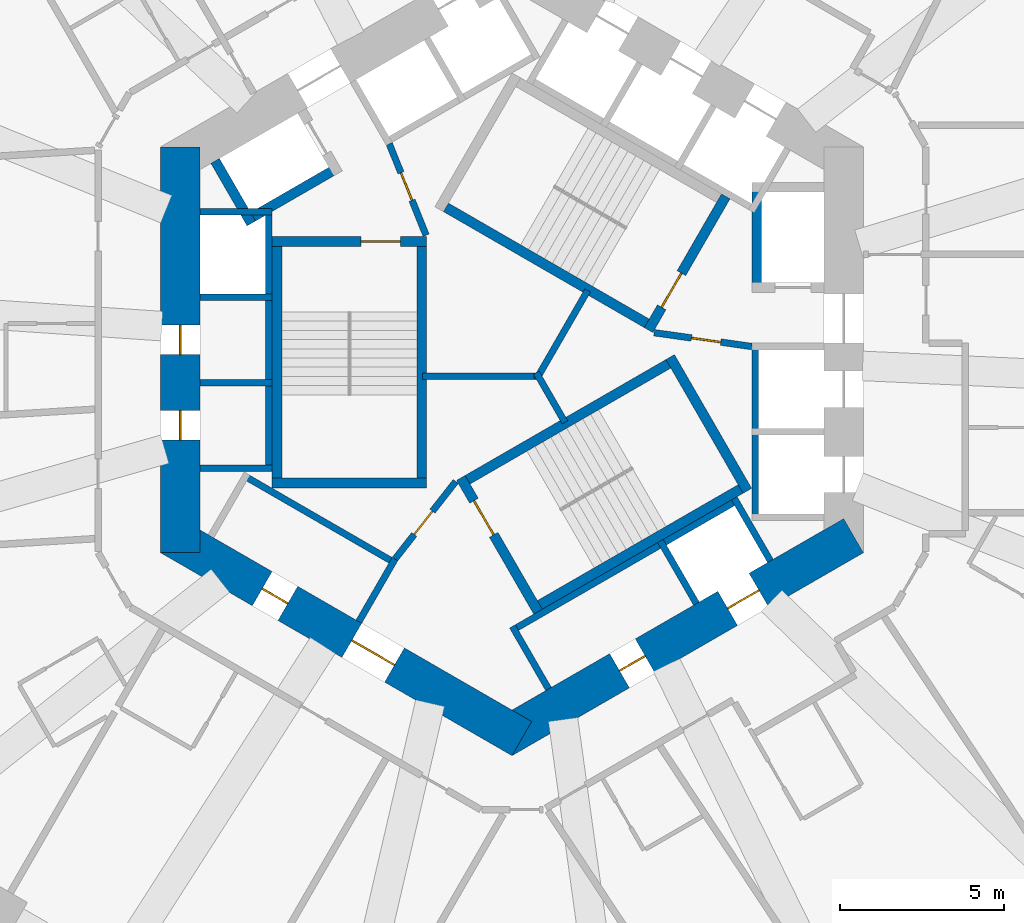
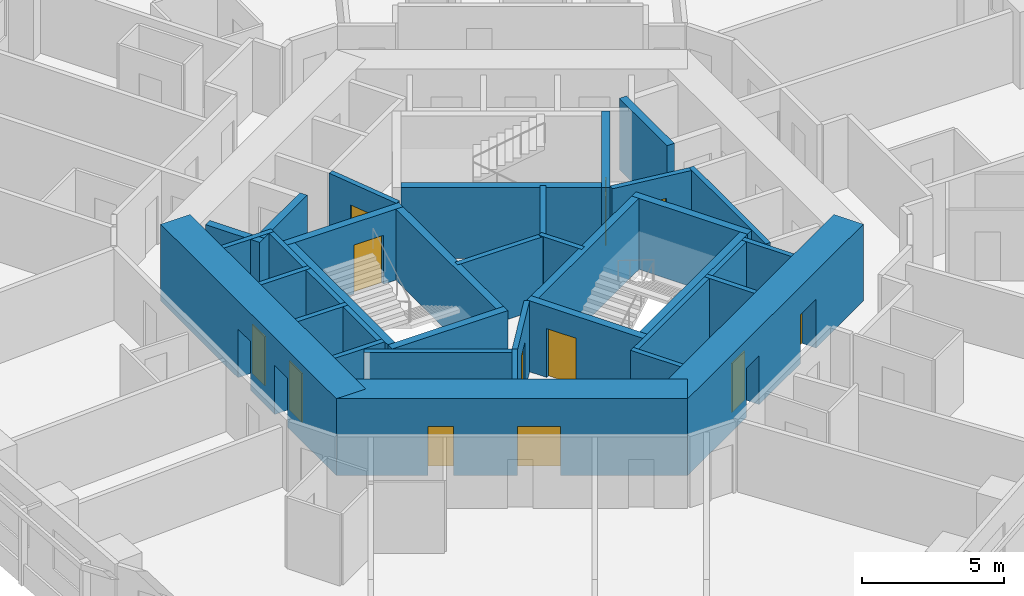
# One storey, part 5 of 12: 34 walls, 12 doors, 12 openings.
"""IFC4 building model written with IfcOpenShell, lengths in metres."""

from ifc_helpers import new_model, si_unit, direction, frame, frame_2d, origin, place, context, subcontext, project, spatial, rectangle, extrude, material, layer, layer_set, type_object, element, fill, save


model = new_model("IFC4")

# Units and contexts
model_context = context("Model", 3, precision=1e-05, world=origin(), true_north=direction((0.0, 1.0)))
body_context = subcontext(model_context, "Body", "Model", "MODEL_VIEW")
ifc_project = project(units=[si_unit("LENGTHUNIT", "METRE"), si_unit("AREAUNIT", "SQUARE_METRE"), si_unit("VOLUMEUNIT", "CUBIC_METRE"), si_unit("PLANEANGLEUNIT", "RADIAN"), si_unit("MASSUNIT", "GRAM", prefix="KILO")], contexts=[model_context])

# Site, building, storey
site_placement = place(None, origin())
site = spatial("IfcSite", under=ifc_project, at=site_placement, CompositionType="ELEMENT")
building_placement = place(site_placement, origin())
building = spatial("IfcBuilding", under=site, at=building_placement, Name="Vanh Sen Convention Tower", CompositionType="ELEMENT")
storey_placement = place(building_placement, frame((0.0, 0.0, 70.39990234375)))
storey = spatial("IfcBuildingStorey", under=building, at=storey_placement, Name="L15", CompositionType="ELEMENT", Elevation=70.39990234375)

# Wall, openings, doors
ifc_material_1 = material(Name="Concrete C80/95", Category="concrete")
ifc_layer_1 = layer(ifc_material_1, 1.199951171875)
ifc_layer_set_1 = layer_set([ifc_layer_1], Name="Concrete C80/95")
wall_type_1 = type_object("IfcWallType", Name="Core outer wall 1200 C80/95", PredefinedType="SHEAR", material=ifc_layer_set_1)
wall_1_placement = place(storey_placement, frame((-10.10009765625, 6.177490234375, 0.0), z_axis=(0.0, 0.0, 1.0), x_axis=(0.0, -1.0, 0.0)))
wall_1 = element("IfcWall", 1, at=wall_1_placement, inside=storey, type_object=wall_type_1, Name="Core wall face W L15", PredefinedType="SHEAR", context=body_context, shape_type="SweptSolid", body=[
    extrude(rectangle(XDim=12.35498046875, YDim=1.199951171875, at=frame_2d((6.177490234375, 0.0))), origin(), (0.0, 0.0, 1.0), 3.300048828125),
])
opening_1_placement = place(wall_1_placement, frame((5.427490234375, 0.0, 0.0)))
opening_1 = element("IfcOpeningElement", 2, at=opening_1_placement, cuts=wall_1, Name="Opening D13010", PredefinedType="OPENING", context=body_context, shape_type="SweptSolid", body=[
    extrude(rectangle(XDim=0.89990234375, YDim=2.10009765625, at=frame_2d((0.449951171875, 1.050048828125))), frame((0.0, 0.60986328125, 0.0), z_axis=(0.0, -1.0, 0.0), x_axis=(1.0, 0.0, 0.0)), (0.0, 0.0, 1.0), 1.219970703125),
])
opening_2_placement = place(wall_1_placement, frame((8.027587890625, 0.0, 0.0)))
opening_2 = element("IfcOpeningElement", 3, at=opening_2_placement, cuts=wall_1, Name="Opening D13011", PredefinedType="OPENING", context=body_context, shape_type="SweptSolid", body=[
    extrude(rectangle(XDim=0.89990234375, YDim=2.10009765625, at=frame_2d((0.449951171875, 1.050048828125))), frame((0.0, 0.60986328125, 0.0), z_axis=(0.0, -1.0, 0.0), x_axis=(1.0, 0.0, 0.0)), (0.0, 0.0, 1.0), 1.219970703125),
])
ifc_material_2 = material(Name="Steel S355", Category="steel")
door_type_1 = type_object("IfcDoorType", Name="Plant door 900", OperationType="SINGLE_SWING_LEFT", PredefinedType="DOOR", material=ifc_material_2)
door_1_placement = place(opening_1_placement, origin())
door_1 = element("IfcDoor", 4, at=door_1_placement, inside=storey, type_object=door_type_1, Name="Plant door D13010", OperationType="SINGLE_SWING_LEFT", OverallHeight=2.10009765625, OverallWidth=0.89990234375, PredefinedType="DOOR", context=body_context, shape_type="SweptSolid", body=[
    extrude(rectangle(XDim=0.89990234375, YDim=2.10009765625, at=frame_2d((0.449951171875, 1.050048828125))), frame((0.0, 0.02490234375, 0.0), z_axis=(0.0, -1.0, 0.0), x_axis=(1.0, 0.0, 0.0)), (0.0, 0.0, 1.0), 0.050048828125),
])
fill(opening_1, door_1)
door_2_placement = place(opening_2_placement, origin())
door_2 = element("IfcDoor", 5, at=door_2_placement, inside=storey, type_object=door_type_1, Name="Plant door D13011", OperationType="SINGLE_SWING_LEFT", OverallHeight=2.10009765625, OverallWidth=0.89990234375, PredefinedType="DOOR", context=body_context, shape_type="SweptSolid", body=[
    extrude(rectangle(XDim=0.89990234375, YDim=2.10009765625, at=frame_2d((0.449951171875, 1.050048828125))), frame((0.0, 0.02490234375, 0.0), z_axis=(0.0, -1.0, 0.0), x_axis=(1.0, 0.0, 0.0)), (0.0, 0.0, 1.0), 0.050048828125),
])
fill(opening_2, door_2)

wall_2_placement = place(storey_placement, frame((-10.39990234375, -5.657958984375, 0.0), z_axis=(0.0, 0.0, 1.0), x_axis=(0.866021384402, -0.500006961711, 0.0)))
wall_2 = element("IfcWall", 6, at=wall_2_placement, inside=storey, type_object=wall_type_1, Name="Core wall face SW L15", PredefinedType="SHEAR", context=body_context, shape_type="SweptSolid", body=[
    extrude(rectangle(XDim=12.355224609375, YDim=1.199951171875, at=frame_2d((6.177734375, 0.0))), origin(), (0.0, 0.0, 1.0), 3.300048828125),
])
opening_3_placement = place(wall_2_placement, frame((6.377685546875, 0.0, 0.0)))
opening_3 = element("IfcOpeningElement", 7, at=opening_3_placement, cuts=wall_2, Name="Opening D13003", PredefinedType="OPENING", context=body_context, shape_type="SweptSolid", body=[
    extrude(rectangle(XDim=1.5, YDim=2.10009765625, at=frame_2d((0.75, 1.050048828125))), frame((0.0, 0.60986328125, 0.0), z_axis=(0.0, -1.0, 0.0), x_axis=(1.0, 0.0, 0.0)), (0.0, 0.0, 1.0), 1.219970703125),
])
opening_4_placement = place(wall_2_placement, frame((3.227783203125, 0.0, 0.0)))
opening_4 = element("IfcOpeningElement", 8, at=opening_4_placement, cuts=wall_2, Name="Opening D13012", PredefinedType="OPENING", context=body_context, shape_type="SweptSolid", body=[
    extrude(rectangle(XDim=0.89990234375, YDim=2.10009765625, at=frame_2d((0.449951171875, 1.050048828125))), frame((0.0, 0.60986328125, 0.0), z_axis=(0.0, -1.0, 0.0), x_axis=(1.0, 0.0, 0.0)), (0.0, 0.0, 1.0), 1.219970703125),
])
door_3_placement = place(opening_4_placement, origin())
door_3 = element("IfcDoor", 9, at=door_3_placement, inside=storey, type_object=door_type_1, Name="Plant door D13012", OperationType="SINGLE_SWING_LEFT", OverallHeight=2.10009765625, OverallWidth=0.89990234375, PredefinedType="DOOR", context=body_context, shape_type="SweptSolid", body=[
    extrude(rectangle(XDim=0.89990234375, YDim=2.10009765625, at=frame_2d((0.449951171875, 1.050048828125))), frame((0.0, 0.02490234375, 0.0), z_axis=(0.0, -1.0, 0.0), x_axis=(1.0, 0.0, 0.0)), (0.0, 0.0, 1.0), 0.050048828125),
])
fill(opening_4, door_3)
door_type_2 = type_object("IfcDoorType", Name="Stair lobby door 1500", OperationType="DOUBLE_DOOR_SINGLE_SWING", PredefinedType="DOOR", material=ifc_material_2)
door_4_placement = place(opening_3_placement, origin())
door_4 = element("IfcDoor", 10, at=door_4_placement, inside=storey, type_object=door_type_2, Name="Stair lobby door D13003", OperationType="DOUBLE_DOOR_SINGLE_SWING", OverallHeight=2.10009765625, OverallWidth=1.5, PredefinedType="DOOR", context=body_context, shape_type="SweptSolid", body=[
    extrude(rectangle(XDim=1.5, YDim=2.10009765625, at=frame_2d((0.75, 1.050048828125))), frame((0.0, 0.02490234375, 0.0), z_axis=(0.0, -1.0, 0.0), x_axis=(1.0, 0.0, 0.0)), (0.0, 0.0, 1.0), 0.050048828125),
])
fill(opening_3, door_4)

wall_3_placement = place(storey_placement, frame((-0.300048828125, -11.835693359375, 0.0), z_axis=(0.0, 0.0, 1.0), x_axis=(0.866021384402, 0.500006961711, 0.0)))
wall_3 = element("IfcWall", 11, at=wall_3_placement, inside=storey, type_object=wall_type_1, Name="Core wall face SE L15", PredefinedType="SHEAR", context=body_context, shape_type="SweptSolid", body=[
    extrude(rectangle(XDim=12.355224609375, YDim=1.199951171875, at=frame_2d((6.177734375, 0.0))), origin(), (0.0, 0.0, 1.0), 3.300048828125),
])
opening_5_placement = place(wall_3_placement, frame((4.127685546875, 0.0, 0.0)))
opening_5 = element("IfcOpeningElement", 12, at=opening_5_placement, cuts=wall_3, Name="Opening D13013", PredefinedType="OPENING", context=body_context, shape_type="SweptSolid", body=[
    extrude(rectangle(XDim=0.89990234375, YDim=2.10009765625, at=frame_2d((0.449951171875, 1.050048828125))), frame((0.0, 0.60986328125, 0.0), z_axis=(0.0, -1.0, 0.0), x_axis=(1.0, 0.0, 0.0)), (0.0, 0.0, 1.0), 1.219970703125),
])
opening_6_placement = place(wall_3_placement, frame((7.927734375, 0.0, 0.0)))
opening_6 = element("IfcOpeningElement", 13, at=opening_6_placement, cuts=wall_3, Name="Opening LD-SV1", PredefinedType="OPENING", context=body_context, shape_type="SweptSolid", body=[
    extrude(rectangle(XDim=1.10009765625, YDim=2.10009765625, at=frame_2d((0.550048828125, 1.050048828125))), frame((0.0, 0.60986328125, 0.0), z_axis=(0.0, -1.0, 0.0), x_axis=(1.0, 0.0, 0.0)), (0.0, 0.0, 1.0), 1.219970703125),
])
ifc_material_3 = material(Name="Stainless steel", Category="steel")
door_type_3 = type_object("IfcDoorType", Name="Lift landing door 1100", OperationType="DOUBLE_DOOR_SLIDING", PredefinedType="DOOR", material=ifc_material_3)
door_5_placement = place(opening_6_placement, origin())
door_5 = element("IfcDoor", 14, at=door_5_placement, inside=storey, type_object=door_type_3, Name="Lift SV1 landing door LD-SV1", OperationType="DOUBLE_DOOR_SLIDING", OverallHeight=2.10009765625, OverallWidth=1.10009765625, PredefinedType="DOOR", context=body_context, shape_type="SweptSolid", body=[
    extrude(rectangle(XDim=1.10009765625, YDim=2.10009765625, at=frame_2d((0.550048828125, 1.050048828125))), frame((0.0, 0.02490234375, 0.0), z_axis=(0.0, -1.0, 0.0), x_axis=(1.0, 0.0, 0.0)), (0.0, 0.0, 1.0), 0.050048828125),
])
fill(opening_6, door_5)
door_6_placement = place(opening_5_placement, origin())
door_6 = element("IfcDoor", 15, at=door_6_placement, inside=storey, type_object=door_type_1, Name="Plant door D13013", OperationType="SINGLE_SWING_LEFT", OverallHeight=2.10009765625, OverallWidth=0.89990234375, PredefinedType="DOOR", context=body_context, shape_type="SweptSolid", body=[
    extrude(rectangle(XDim=0.89990234375, YDim=2.10009765625, at=frame_2d((0.449951171875, 1.050048828125))), frame((0.0, 0.02490234375, 0.0), z_axis=(0.0, -1.0, 0.0), x_axis=(1.0, 0.0, 0.0)), (0.0, 0.0, 1.0), 0.050048828125),
])
fill(opening_5, door_6)

# Walls
ifc_material_4 = material(Name="Masonry blockwork", Category="masonry")
ifc_layer_2 = layer(ifc_material_4, 0.199951171875)
ifc_layer_set_2 = layer_set([ifc_layer_2], Name="Masonry blockwork")
wall_type_2 = type_object("IfcWallType", Name="Core partition 200", PredefinedType="PARTITIONING", material=ifc_layer_set_2)
wall_4_placement = place(storey_placement, frame((0.919921875, -0.800048828125, 0.0), z_axis=(0.0, 0.0, 1.0), x_axis=(-1.0, 0.0, 0.0)))
element("IfcWall", 16, at=wall_4_placement, inside=storey, type_object=wall_type_2, Name="Core partition L15", PredefinedType="PARTITIONING", context=body_context, shape_type="SweptSolid", body=[
    extrude(rectangle(XDim=3.639892578125, YDim=0.199951171875, at=frame_2d((1.81982421875, 0.0))), origin(), (0.0, 0.0, 1.0), 3.050048828125),
])
wall_5_placement = place(storey_placement, frame((0.739990234375, -0.90380859375, 0.0), z_axis=(0.0, 0.0, 1.0), x_axis=(0.500028278809, 0.866009076391, 0.0)))
element("IfcWall", 17, at=wall_5_placement, inside=storey, type_object=wall_type_2, Name="Core partition L15", PredefinedType="PARTITIONING", context=body_context, shape_type="SweptSolid", body=[
    extrude(rectangle(XDim=3.132568359375, YDim=0.199951171875, at=frame_2d((1.56640625, 0.0))), origin(), (0.0, 0.0, 1.0), 3.050048828125),
])
wall_6_placement = place(storey_placement, frame((0.739990234375, -0.696044921875, 0.0), z_axis=(0.0, 0.0, 1.0), x_axis=(0.499956301907, -0.86605063142, 0.0)))
element("IfcWall", 18, at=wall_6_placement, inside=storey, type_object=wall_type_2, Name="Core partition L15", PredefinedType="PARTITIONING", context=body_context, shape_type="SweptSolid", body=[
    extrude(rectangle(XDim=1.747314453125, YDim=0.199951171875, at=frame_2d((0.87353515625, 0.0))), origin(), (0.0, 0.0, 1.0), 3.050048828125),
])
ifc_material_5 = material(Name="Concrete C60/75", Category="concrete")
ifc_layer_3 = layer(ifc_material_5, 0.300048828125)
ifc_layer_set_3 = layer_set([ifc_layer_3], Name="Concrete C60/75")
wall_type_3 = type_object("IfcWallType", Name="Fire-fighting lift shaft wall 300", PredefinedType="SHEAR", material=ifc_layer_set_3)
wall_7_placement = place(storey_placement, frame((7.449951171875, 1.75, 0.0), z_axis=(0.0, 0.0, 1.0), x_axis=(0.0, 1.0, 0.0)))
element("IfcWall", 19, at=wall_7_placement, inside=storey, type_object=wall_type_3, Name="Fire-fighting lift shaft wall L15", PredefinedType="SHEAR", context=body_context, shape_type="SweptSolid", body=[
    extrude(rectangle(XDim=3.35009765625, YDim=0.300048828125, at=frame_2d((1.675048828125, 0.0))), origin(), (0.0, 0.0, 1.0), 3.050048828125),
])
wall_8_placement = place(storey_placement, frame((-5.240478515625, 5.576904296875, 0.0), z_axis=(0.0, 0.0, 1.0), x_axis=(-0.866014461049, -0.500018952895, 0.0)))
element("IfcWall", 20, at=wall_8_placement, inside=storey, type_object=wall_type_3, Name="Fire-fighting lift shaft wall L15", PredefinedType="SHEAR", context=body_context, shape_type="SweptSolid", body=[
    extrude(rectangle(XDim=3.349853515625, YDim=0.300048828125, at=frame_2d((1.6748046875, 0.0))), origin(), (0.0, 0.0, 1.0), 3.050048828125),
])
wall_9_placement = place(storey_placement, frame((-7.936767578125, 3.846923828125, 0.0), z_axis=(0.0, 0.0, 1.0), x_axis=(-0.50002983664, 0.866008176907, 0.0)))
element("IfcWall", 21, at=wall_9_placement, inside=storey, type_object=wall_type_3, Name="Fire-fighting lift shaft wall L15", PredefinedType="SHEAR", context=body_context, shape_type="SweptSolid", body=[
    extrude(rectangle(XDim=2.199951171875, YDim=0.300048828125, at=frame_2d((1.10009765625, 0.0))), origin(), (0.0, 0.0, 1.0), 3.050048828125),
])
ifc_material_6 = material(Name="Concrete C40/50", Category="concrete")
ifc_layer_4 = layer(ifc_material_6, 0.199951171875)
ifc_layer_set_4 = layer_set([ifc_layer_4], Name="Concrete C40/50")
wall_type_4 = type_object("IfcWallType", Name="Lift shaft wall 200", PredefinedType="PARTITIONING", material=ifc_layer_set_4)
wall_10_placement = place(storey_placement, frame((7.39990234375, -5.199951171875, 0.0), z_axis=(0.0, 0.0, 1.0), x_axis=(0.0, 1.0, 0.0)))
element("IfcWall", 22, at=wall_10_placement, inside=storey, type_object=wall_type_4, Name="Lift shaft wall L15", PredefinedType="PARTITIONING", context=body_context, shape_type="SweptSolid", body=[
    extrude(rectangle(XDim=5.39990234375, YDim=0.199951171875, at=frame_2d((2.699951171875, 0.0))), origin(), (0.0, 0.0, 1.0), 3.050048828125),
])
wall_11_placement = place(storey_placement, frame((-7.39990234375, 4.300048828125, 0.0), z_axis=(0.0, 0.0, 1.0), x_axis=(0.0, -1.0, 0.0)))
element("IfcWall", 23, at=wall_11_placement, inside=storey, type_object=wall_type_4, Name="Lift shaft wall L15", PredefinedType="PARTITIONING", context=body_context, shape_type="SweptSolid", body=[
    extrude(rectangle(XDim=8.0, YDim=0.199951171875, at=frame_2d((4.0, 0.0))), origin(), (0.0, 0.0, 1.0), 3.050048828125),
])
for number, where, z_axis, x_axis, name in (
    (24, (-7.300048828125, 4.199951171875, 0.0), (0.0, 0.0, 1.0), (-1.0, 0.0, 0.0), "Lift shaft wall L15"),
    (25, (-7.300048828125, 1.60009765625, 0.0), (0.0, 0.0, 1.0), (-1.0, 0.0, 0.0), "Lift shaft wall L15"),
    (26, (-7.300048828125, -1.0, 0.0), (0.0, 0.0, 1.0), (-1.0, 0.0, 0.0), "Lift shaft wall L15"),
    (27, (-7.300048828125, -3.60009765625, 0.0), (0.0, 0.0, 1.0), (-1.0, 0.0, 0.0), "Lift shaft wall L15"),
):
    element("IfcWall", number, at=place(storey_placement, frame(where, z_axis=z_axis, x_axis=x_axis)), inside=storey, type_object=wall_type_4, Name=name, PredefinedType="PARTITIONING", context=body_context, shape_type="SweptSolid", body=[
        extrude(rectangle(XDim=2.199951171875, YDim=0.199951171875, at=frame_2d((1.10009765625, 0.0))), origin(), (0.0, 0.0, 1.0), 3.050048828125),
    ])
wall_12_placement = place(storey_placement, frame((-8.203369140625, -3.80859375, 0.0), z_axis=(0.0, 0.0, 1.0), x_axis=(0.866028230842, -0.499995103361, 0.0)))
element("IfcWall", 28, at=wall_12_placement, inside=storey, type_object=wall_type_4, Name="Lift shaft wall L15", PredefinedType="PARTITIONING", context=body_context, shape_type="SweptSolid", body=[
    extrude(rectangle(XDim=5.39990234375, YDim=0.199951171875, at=frame_2d((2.699951171875, 0.0))), origin(), (0.0, 0.0, 1.0), 3.050048828125),
])
wall_13_placement = place(storey_placement, frame((-3.5634765625, -6.3720703125, 0.0), z_axis=(0.0, 0.0, 1.0), x_axis=(-0.499994660107, -0.866028486751, 0.0)))
element("IfcWall", 29, at=wall_13_placement, inside=storey, type_object=wall_type_4, Name="Lift shaft wall L15", PredefinedType="PARTITIONING", context=body_context, shape_type="SweptSolid", body=[
    extrude(rectangle(XDim=2.19970703125, YDim=0.199951171875, at=frame_2d((1.099853515625, 0.0))), origin(), (0.0, 0.0, 1.0), 3.050048828125),
])
wall_14_placement = place(storey_placement, frame((-0.02392578125, -8.55859375, 0.0), z_axis=(0.0, 0.0, 1.0), x_axis=(0.866026010844, 0.49999894854, 0.0)))
element("IfcWall", 30, at=wall_14_placement, inside=storey, type_object=wall_type_4, Name="Lift shaft wall L15", PredefinedType="PARTITIONING", context=body_context, shape_type="SweptSolid", body=[
    extrude(rectangle(XDim=8.0, YDim=0.199951171875, at=frame_2d((4.0, 0.0))), origin(), (0.0, 0.0, 1.0), 3.050048828125),
])
for number, where, z_axis, x_axis, name in (
    (31, (0.0126953125, -8.422119140625, 0.0), (0.0, 0.0, 1.0), (0.500077893725, -0.86598042715, 0.0), "Lift shaft wall L15"),
    (32, (4.51611328125, -5.822021484375, 0.0), (0.0, 0.0, 1.0), (0.499946605688, -0.86605622881, 0.0), "Lift shaft wall L15"),
    (33, (6.767578125, -4.52197265625, 0.0), (0.0, 0.0, 1.0), (0.50002983664, -0.866008176907, 0.0), "Lift shaft wall L15"),
):
    element("IfcWall", number, at=place(storey_placement, frame(where, z_axis=z_axis, x_axis=x_axis)), inside=storey, type_object=wall_type_4, Name=name, PredefinedType="PARTITIONING", context=body_context, shape_type="SweptSolid", body=[
        extrude(rectangle(XDim=2.199951171875, YDim=0.199951171875, at=frame_2d((1.10009765625, 0.0))), origin(), (0.0, 0.0, 1.0), 3.050048828125),
    ])

# Wall, opening, door
ifc_layer_5 = layer(ifc_material_6, 0.199951171875)
ifc_layer_set_5 = layer_set([ifc_layer_5], Name="Concrete C40/50")
wall_type_5 = type_object("IfcWallType", Name="Stair lobby wall 200", PredefinedType="PARTITIONING", material=ifc_layer_set_5)
wall_15_placement = place(storey_placement, frame((4.327392578125, 0.52099609375, 0.0), z_axis=(0.0, 0.0, 1.0), x_axis=(0.990124376366, -0.14019172346, 0.0)))
wall_15 = element("IfcWall", 34, at=wall_15_placement, inside=storey, type_object=wall_type_5, Name="Stair lobby wall L15", PredefinedType="PARTITIONING", context=body_context, shape_type="SweptSolid", body=[
    extrude(rectangle(XDim=3.002197265625, YDim=0.199951171875, at=frame_2d((1.5009765625, 0.0))), origin(), (0.0, 0.0, 1.0), 3.050048828125),
])
opening_7_placement = place(wall_15_placement, frame((1.14990234375, 0.0, 0.0)))
opening_7 = element("IfcOpeningElement", 35, at=opening_7_placement, cuts=wall_15, Name="Opening D13007", PredefinedType="OPENING", context=body_context, shape_type="SweptSolid", body=[
    extrude(rectangle(XDim=0.89990234375, YDim=2.10009765625, at=frame_2d((0.449951171875, 1.050048828125))), frame((0.0, 0.10986328125, 0.0), z_axis=(0.0, -1.0, 0.0), x_axis=(1.0, 0.0, 0.0)), (0.0, 0.0, 1.0), 0.219970703125),
])
door_7_placement = place(opening_7_placement, origin())
door_7 = element("IfcDoor", 36, at=door_7_placement, inside=storey, type_object=door_type_1, Name="Plant door D13007", OperationType="SINGLE_SWING_LEFT", OverallHeight=2.10009765625, OverallWidth=0.89990234375, PredefinedType="DOOR", context=body_context, shape_type="SweptSolid", body=[
    extrude(rectangle(XDim=0.89990234375, YDim=2.10009765625, at=frame_2d((0.449951171875, 1.050048828125))), frame((0.0, 0.02490234375, 0.0), z_axis=(0.0, -1.0, 0.0), x_axis=(1.0, 0.0, 0.0)), (0.0, 0.0, 1.0), 0.050048828125),
])
fill(opening_7, door_7)

wall_16_placement = place(storey_placement, frame((-2.614990234375, 3.487060546875, 0.0), z_axis=(0.0, 0.0, 1.0), x_axis=(-0.373576831041, 0.92759924068, 0.0)))
wall_16 = element("IfcWall", 37, at=wall_16_placement, inside=storey, type_object=wall_type_5, Name="Stair lobby wall L15", PredefinedType="PARTITIONING", context=body_context, shape_type="SweptSolid", body=[
    extrude(rectangle(XDim=3.002197265625, YDim=0.199951171875, at=frame_2d((1.5009765625, 0.0))), origin(), (0.0, 0.0, 1.0), 3.050048828125),
])
opening_8_placement = place(wall_16_placement, frame((1.14990234375, 0.0, 0.0)))
opening_8 = element("IfcOpeningElement", 38, at=opening_8_placement, cuts=wall_16, Name="Opening D13008", PredefinedType="OPENING", context=body_context, shape_type="SweptSolid", body=[
    extrude(rectangle(XDim=0.89990234375, YDim=2.10009765625, at=frame_2d((0.449951171875, 1.050048828125))), frame((0.0, 0.10986328125, 0.0), z_axis=(0.0, -1.0, 0.0), x_axis=(1.0, 0.0, 0.0)), (0.0, 0.0, 1.0), 0.219970703125),
])
door_8_placement = place(opening_8_placement, origin())
door_8 = element("IfcDoor", 39, at=door_8_placement, inside=storey, type_object=door_type_1, Name="Plant door D13008", OperationType="SINGLE_SWING_LEFT", OverallHeight=2.10009765625, OverallWidth=0.89990234375, PredefinedType="DOOR", context=body_context, shape_type="SweptSolid", body=[
    extrude(rectangle(XDim=0.89990234375, YDim=2.10009765625, at=frame_2d((0.449951171875, 1.050048828125))), frame((0.0, 0.02490234375, 0.0), z_axis=(0.0, -1.0, 0.0), x_axis=(1.0, 0.0, 0.0)), (0.0, 0.0, 1.0), 0.050048828125),
])
fill(opening_8, door_8)

wall_17_placement = place(storey_placement, frame((-1.71240234375, -4.00830078125, 0.0), z_axis=(0.0, 0.0, 1.0), x_axis=(-0.616549420702, -0.787316208287, 0.0)))
wall_17 = element("IfcWall", 40, at=wall_17_placement, inside=storey, type_object=wall_type_5, Name="Stair lobby wall L15", PredefinedType="PARTITIONING", context=body_context, shape_type="SweptSolid", body=[
    extrude(rectangle(XDim=3.002197265625, YDim=0.199951171875, at=frame_2d((1.5009765625, 0.0))), origin(), (0.0, 0.0, 1.0), 3.050048828125),
])
opening_9_placement = place(wall_17_placement, frame((1.14990234375, 0.0, 0.0)))
opening_9 = element("IfcOpeningElement", 41, at=opening_9_placement, cuts=wall_17, Name="Opening D13009", PredefinedType="OPENING", context=body_context, shape_type="SweptSolid", body=[
    extrude(rectangle(XDim=0.89990234375, YDim=2.10009765625, at=frame_2d((0.449951171875, 1.050048828125))), frame((0.0, 0.10986328125, 0.0), z_axis=(0.0, -1.0, 0.0), x_axis=(1.0, 0.0, 0.0)), (0.0, 0.0, 1.0), 0.219970703125),
])
door_9_placement = place(opening_9_placement, origin())
door_9 = element("IfcDoor", 42, at=door_9_placement, inside=storey, type_object=door_type_1, Name="Plant door D13009", OperationType="SINGLE_SWING_LEFT", OverallHeight=2.10009765625, OverallWidth=0.89990234375, PredefinedType="DOOR", context=body_context, shape_type="SweptSolid", body=[
    extrude(rectangle(XDim=0.89990234375, YDim=2.10009765625, at=frame_2d((0.449951171875, 1.050048828125))), frame((0.0, 0.02490234375, 0.0), z_axis=(0.0, -1.0, 0.0), x_axis=(1.0, 0.0, 0.0)), (0.0, 0.0, 1.0), 0.050048828125),
])
fill(opening_9, door_9)

ifc_layer_6 = layer(ifc_material_5, 0.300048828125)
ifc_layer_set_6 = layer_set([ifc_layer_6], Name="Concrete C60/75")
wall_type_6 = type_object("IfcWallType", Name="Stair wall 300", PredefinedType="SHEAR", material=ifc_layer_set_6)
wall_18_placement = place(storey_placement, frame((4.157958984375, 0.601806640625, 0.0), z_axis=(0.0, 0.0, 1.0), x_axis=(0.499977259774, 0.866038532462, 0.0)))
wall_18 = element("IfcWall", 43, at=wall_18_placement, inside=storey, type_object=wall_type_6, Name="Stair wall L15", PredefinedType="SHEAR", context=body_context, shape_type="SweptSolid", body=[
    extrude(rectangle(XDim=4.699951171875, YDim=0.300048828125, at=frame_2d((2.35009765625, 0.0))), origin(), (0.0, 0.0, 1.0), 3.050048828125),
])
opening_10_placement = place(wall_18_placement, frame((0.800048828125, 0.0, 0.0)))
opening_10 = element("IfcOpeningElement", 44, at=opening_10_placement, cuts=wall_18, Name="Opening D13004", PredefinedType="OPENING", context=body_context, shape_type="SweptSolid", body=[
    extrude(rectangle(XDim=1.199951171875, YDim=2.10009765625, at=frame_2d((0.60009765625, 1.050048828125))), frame((0.0, 0.159912109375, 0.0), z_axis=(0.0, -1.0, 0.0), x_axis=(1.0, 0.0, 0.0)), (0.0, 0.0, 1.0), 0.320068359375),
])
door_type_4 = type_object("IfcDoorType", Name="Stair door 1200", OperationType="SINGLE_SWING_RIGHT", PredefinedType="DOOR", material=ifc_material_2)
door_10_placement = place(opening_10_placement, origin())
door_10 = element("IfcDoor", 45, at=door_10_placement, inside=storey, type_object=door_type_4, Name="Stair ST1 door D13004", OperationType="SINGLE_SWING_RIGHT", OverallHeight=2.10009765625, OverallWidth=1.199951171875, PredefinedType="DOOR", context=body_context, shape_type="SweptSolid", body=[
    extrude(rectangle(XDim=1.199951171875, YDim=2.10009765625, at=frame_2d((0.60009765625, 1.050048828125))), frame((0.0, 0.02490234375, 0.0), z_axis=(0.0, -1.0, 0.0), x_axis=(1.0, 0.0, 0.0)), (0.0, 0.0, 1.0), 0.050048828125),
])
fill(opening_10, door_10)

# Wall
wall_19_placement = place(storey_placement, frame((4.10302734375, 0.806640625, 0.0), z_axis=(0.0, 0.0, 1.0), x_axis=(-0.866027801685, 0.499995846692, 0.0)))
element("IfcWall", 46, at=wall_19_placement, inside=storey, type_object=wall_type_6, Name="Stair wall L15", PredefinedType="SHEAR", context=body_context, shape_type="SweptSolid", body=[
    extrude(rectangle(XDim=7.06005859375, YDim=0.300048828125, at=frame_2d((3.530029296875, 0.0))), origin(), (0.0, 0.0, 1.0), 3.050048828125),
])

# Wall, opening, door
wall_20_placement = place(storey_placement, frame((-2.60009765625, 3.300048828125, 0.0), z_axis=(0.0, 0.0, 1.0), x_axis=(-1.0, 0.0, 0.0)))
wall_20 = element("IfcWall", 47, at=wall_20_placement, inside=storey, type_object=wall_type_6, Name="Stair wall L15", PredefinedType="SHEAR", context=body_context, shape_type="SweptSolid", body=[
    extrude(rectangle(XDim=4.699951171875, YDim=0.300048828125, at=frame_2d((2.35009765625, 0.0))), origin(), (0.0, 0.0, 1.0), 3.050048828125),
])
opening_11_placement = place(wall_20_placement, frame((0.800048828125, 0.0, 0.0)))
opening_11 = element("IfcOpeningElement", 48, at=opening_11_placement, cuts=wall_20, Name="Opening D13005", PredefinedType="OPENING", context=body_context, shape_type="SweptSolid", body=[
    extrude(rectangle(XDim=1.199951171875, YDim=2.10009765625, at=frame_2d((0.60009765625, 1.050048828125))), frame((0.0, 0.159912109375, 0.0), z_axis=(0.0, -1.0, 0.0), x_axis=(1.0, 0.0, 0.0)), (0.0, 0.0, 1.0), 0.320068359375),
])
door_11_placement = place(opening_11_placement, origin())
door_11 = element("IfcDoor", 49, at=door_11_placement, inside=storey, type_object=door_type_4, Name="Stair ST2 door D13005", OperationType="SINGLE_SWING_RIGHT", OverallHeight=2.10009765625, OverallWidth=1.199951171875, PredefinedType="DOOR", context=body_context, shape_type="SweptSolid", body=[
    extrude(rectangle(XDim=1.199951171875, YDim=2.10009765625, at=frame_2d((0.60009765625, 1.050048828125))), frame((0.0, 0.02490234375, 0.0), z_axis=(0.0, -1.0, 0.0), x_axis=(1.0, 0.0, 0.0)), (0.0, 0.0, 1.0), 0.050048828125),
])
fill(opening_11, door_11)

# Walls
wall_21_placement = place(storey_placement, frame((-2.60009765625, -4.06005859375, 0.0), z_axis=(0.0, 0.0, 1.0), x_axis=(-1.0, 0.0, 0.0)))
element("IfcWall", 50, at=wall_21_placement, inside=storey, type_object=wall_type_6, Name="Stair wall L15", PredefinedType="SHEAR", context=body_context, shape_type="SweptSolid", body=[
    extrude(rectangle(XDim=4.699951171875, YDim=0.300048828125, at=frame_2d((2.35009765625, 0.0))), origin(), (0.0, 0.0, 1.0), 3.050048828125),
])
for number, where, z_axis, x_axis, name in (
    (51, (-2.75, 3.14990234375, 0.0), (0.0, 0.0, 1.0), (0.0, -1.0, 0.0), "Stair wall L15"),
    (52, (-7.14990234375, 3.14990234375, 0.0), (0.0, 0.0, 1.0), (0.0, -1.0, 0.0), "Stair wall L15"),
):
    element("IfcWall", number, at=place(storey_placement, frame(where, z_axis=z_axis, x_axis=x_axis)), inside=storey, type_object=wall_type_6, Name=name, PredefinedType="SHEAR", context=body_context, shape_type="SweptSolid", body=[
        extrude(rectangle(XDim=7.059814453125, YDim=0.300048828125, at=frame_2d((3.52978515625, 0.0))), origin(), (0.0, 0.0, 1.0), 3.050048828125),
    ])

# Wall, opening, door
wall_22_placement = place(storey_placement, frame((-1.557861328125, -3.901611328125, 0.0), z_axis=(0.0, 0.0, 1.0), x_axis=(0.499977259774, -0.866038532462, 0.0)))
wall_22 = element("IfcWall", 53, at=wall_22_placement, inside=storey, type_object=wall_type_6, Name="Stair wall L15", PredefinedType="SHEAR", context=body_context, shape_type="SweptSolid", body=[
    extrude(rectangle(XDim=4.699951171875, YDim=0.300048828125, at=frame_2d((2.35009765625, 0.0))), origin(), (0.0, 0.0, 1.0), 3.050048828125),
])
opening_12_placement = place(wall_22_placement, frame((0.800048828125, 0.0, 0.0)))
opening_12 = element("IfcOpeningElement", 54, at=opening_12_placement, cuts=wall_22, Name="Opening D13006", PredefinedType="OPENING", context=body_context, shape_type="SweptSolid", body=[
    extrude(rectangle(XDim=1.199951171875, YDim=2.10009765625, at=frame_2d((0.60009765625, 1.050048828125))), frame((0.0, 0.159912109375, 0.0), z_axis=(0.0, -1.0, 0.0), x_axis=(1.0, 0.0, 0.0)), (0.0, 0.0, 1.0), 0.320068359375),
])
door_12_placement = place(opening_12_placement, origin())
door_12 = element("IfcDoor", 55, at=door_12_placement, inside=storey, type_object=door_type_4, Name="Stair ST3 door D13006", OperationType="SINGLE_SWING_RIGHT", OverallHeight=2.10009765625, OverallWidth=1.199951171875, PredefinedType="DOOR", context=body_context, shape_type="SweptSolid", body=[
    extrude(rectangle(XDim=1.199951171875, YDim=2.10009765625, at=frame_2d((0.60009765625, 1.050048828125))), frame((0.0, 0.02490234375, 0.0), z_axis=(0.0, -1.0, 0.0), x_axis=(1.0, 0.0, 0.0)), (0.0, 0.0, 1.0), 0.050048828125),
])
fill(opening_12, door_12)

# Walls
wall_23_placement = place(storey_placement, frame((4.816162109375, -0.2216796875, 0.0), z_axis=(0.0, 0.0, 1.0), x_axis=(0.499977259774, -0.866038532462, 0.0)))
element("IfcWall", 56, at=wall_23_placement, inside=storey, type_object=wall_type_6, Name="Stair wall L15", PredefinedType="SHEAR", context=body_context, shape_type="SweptSolid", body=[
    extrude(rectangle(XDim=4.699951171875, YDim=0.300048828125, at=frame_2d((2.35009765625, 0.0))), origin(), (0.0, 0.0, 1.0), 3.050048828125),
])
for number, where, z_axis, x_axis, name in (
    (57, (-1.35302734375, -3.95654296875, 0.0), (0.0, 0.0, 1.0), (0.866027801685, 0.499995846692, 0.0), "Stair wall L15"),
    (58, (0.846923828125, -7.76708984375, 0.0), (0.0, 0.0, 1.0), (0.866027801685, 0.499995846692, 0.0), "Stair wall L15"),
):
    element("IfcWall", number, at=place(storey_placement, frame(where, z_axis=z_axis, x_axis=x_axis)), inside=storey, type_object=wall_type_6, Name=name, PredefinedType="SHEAR", context=body_context, shape_type="SweptSolid", body=[
        extrude(rectangle(XDim=7.06005859375, YDim=0.300048828125, at=frame_2d((3.530029296875, 0.0))), origin(), (0.0, 0.0, 1.0), 3.050048828125),
    ])

save(model, "model.ifc")
